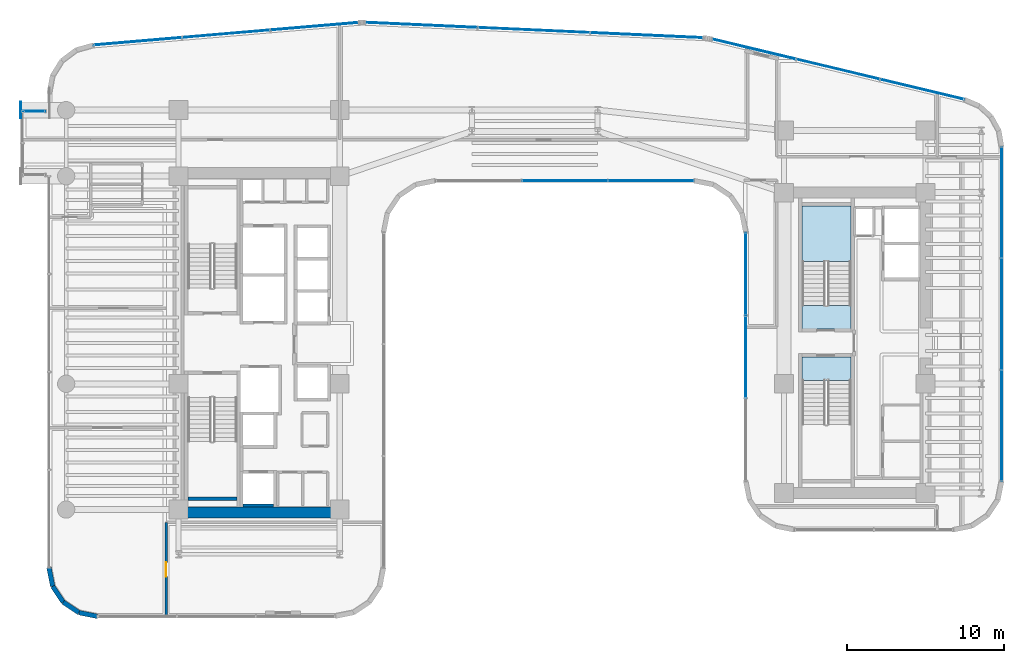
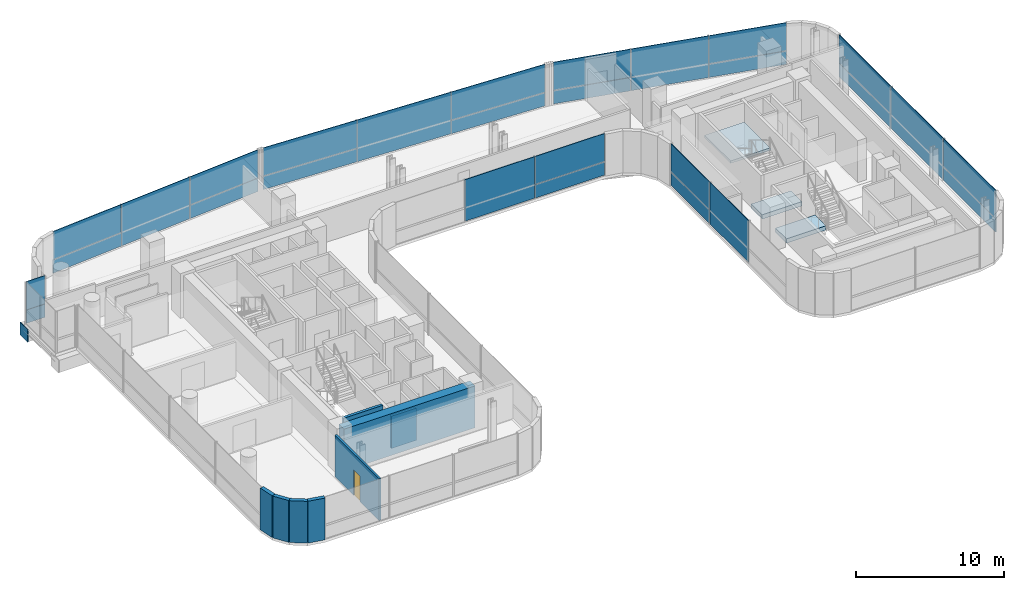
# One storey, part 26 of 35: 29 plates, 8 walls, 3 slabs, 1 door, 1 opening, 8 elements without a shape of their own.
"""IFC4 building model written with IfcOpenShell, lengths in metres."""

from ifc_helpers import new_model, si_unit, direction, frame, frame_2d, origin, origin_2d, place, context, subcontext, project, spatial, polyline, rectangle, outline, extrude, source, transform, mapped, material, layer, layer_set, type_object, element, fill, aggregate, save


model = new_model("IFC4")

# Units and contexts
model_context = context("Model", 3, precision=1e-05, world=origin(), true_north=direction((0.0, 1.0)))
body_context = subcontext(model_context, "Body", "Model", "MODEL_VIEW")
ifc_project = project(units=[si_unit("LENGTHUNIT", "METRE"), si_unit("AREAUNIT", "SQUARE_METRE"), si_unit("VOLUMEUNIT", "CUBIC_METRE"), si_unit("PLANEANGLEUNIT", "RADIAN"), si_unit("MASSUNIT", "GRAM", prefix="KILO")], contexts=[model_context])

# Site, building, storey
site_placement = place(None, origin())
site = spatial("IfcSite", under=ifc_project, at=site_placement, CompositionType="ELEMENT")
building_placement = place(site_placement, origin())
building = spatial("IfcBuilding", under=site, at=building_placement, Name="Valdorenza Pilgrim Sanctuary Tower", CompositionType="ELEMENT")
storey_placement = place(building_placement, frame((0.0, 0.0, 124.199951171875)))
storey = spatial("IfcBuildingStorey", under=building, at=storey_placement, Name="L31", CompositionType="ELEMENT", Elevation=124.199951171875)

# Stair, slab
ifc_material_1 = material(Name="Concrete C40/50", Category="concrete")
stair_type = type_object("IfcStairType", Name="STR-DOG-CORE", PredefinedType="HALF_TURN_STAIR", material=ifc_material_1)
stair_placement = place(storey_placement, origin())
stair = element("IfcStair", 1, at=stair_placement, inside=storey, type_object=stair_type, Name="L31 ST-B1", PredefinedType="HALF_TURN_STAIR")
ifc_layer_1 = layer(ifc_material_1, 0.199951171875, Name="Concrete C40/50")
ifc_layer_set_1 = layer_set([ifc_layer_1], Name="Concrete C40/50")
slab_type_1 = type_object("IfcSlabType", Name="SLAB-STL-200", PredefinedType="LANDING", material=ifc_layer_set_1)
slab_1_placement = place(storey_placement, frame((0.0, 0.0, 1.650146484375)))
slab_1 = element("IfcSlab", 2, at=slab_1_placement, type_object=slab_type_1, Name="ST-B1 landing 1", PredefinedType="LANDING", context=body_context, shape_type="SweptSolid", body=[
    extrude(outline(polyline([(20.110107421875, 5.179931640625), (20.110107421875, 8.699951171875), (17.0, 8.699951171875), (17.0, 5.179931640625), (20.110107421875, 5.179931640625)])), origin(), (0.0, 0.0, 1.0), 0.199951171875),
])
aggregate(stair, [slab_1])

# Slabs
ifc_material_2 = material(Name="Concrete C50/60", Category="concrete")
ifc_layer_2 = layer(ifc_material_2, 0.39990234375, Name="Concrete C50/60")
ifc_layer_set_2 = layer_set([ifc_layer_2], Name="Concrete C50/60")
slab_type_2 = type_object("IfcSlabType", Name="SLAB-TRF-400", PredefinedType="FLOOR", material=ifc_layer_set_2)
slab_2_placement = place(storey_placement, frame((0.0, 0.0, -0.35986328125)))
element("IfcSlab", 3, at=slab_2_placement, inside=storey, type_object=slab_type_2, Name="L31 ST-B1 Structural Stair Landing Bearing Slab", PredefinedType="FLOOR", context=body_context, shape_type="SweptSolid", body=[
    extrude(outline(polyline([(17.0, 0.89990234375), (20.110107421875, 0.89990234375), (20.110107421875, 2.385009765625), (17.0, 2.385009765625), (17.0, 0.89990234375)])), origin(), (0.0, 0.0, 1.0), 0.35986328125),
])
slab_3_placement = place(storey_placement, frame((0.0, 0.0, -0.35986328125)))
element("IfcSlab", 4, at=slab_3_placement, inside=storey, type_object=slab_type_2, Name="L31 ST-B2 Structural Stair Landing Bearing Slab", PredefinedType="FLOOR", context=body_context, shape_type="SweptSolid", body=[
    extrude(outline(polyline([(17.0, -2.385009765625), (20.110107421875, -2.385009765625), (20.110107421875, -0.89990234375), (17.0, -0.89990234375), (17.0, -2.385009765625)])), origin(), (0.0, 0.0, 1.0), 0.35986328125),
])

# Plate
ifc_material_3 = material(Name="Steel ASTM A572 Grade 42", Category="steel")
ifc_layer_3 = layer(ifc_material_3, 0.06005859375, Name="Steel ASTM A572 Grade 42")
ifc_layer_set_3 = layer_set([ifc_layer_3], Name="Steel ASTM A572 Grade 42")
plate_type_1 = type_object("IfcPlateType", Name="PLT-CAP-60", PredefinedType="SHEET", material=ifc_layer_set_3)
shared_shape_1 = source(origin(), body_context, "Body", "SweptSolid", [
    extrude(rectangle(XDim=0.06005859375, YDim=1.0400390625, at=origin_2d()), origin(), (0.0, 0.0, 1.0), 1.0400390625),
])
plate_1_placement = place(storey_placement, frame((-32.679931640625, 14.800048828125, -1.260009765625), z_axis=(0.0, 0.0, 1.0), x_axis=(1.0, 0.0, 0.0)))
element("IfcPlate", 5, at=plate_1_placement, inside=storey, type_object=plate_type_1, Name="L31 BOX-WA-L31 Cantilever Tip End Cap N", PredefinedType="SHEET", context=body_context, shape_type="MappedRepresentation", body=[
    mapped(shared_shape_1, transform((0.0, 0.0, 0.0), x_axis=(1.0, 0.0, 0.0), y_axis=(0.0, 1.0, 0.0), z_axis=(0.0, 0.0, 1.0), scale=1.0)),
])

# Curtain wall, plates
ifc_material_4 = material(Name="Curtain-wall IGU glazing", Category="glass")
curtain_wall_type_1 = type_object("IfcCurtainWallType", Name="CW-SYS-02", PredefinedType="NOTDEFINED", material=ifc_material_4)
curtain_wall_1_placement = place(storey_placement, origin())
curtain_wall_1 = element("IfcCurtainWall", 6, at=curtain_wall_1_placement, inside=storey, type_object=curtain_wall_type_1, Name="L31 Curtain Wall CW-L31-1-36", PredefinedType="NOTDEFINED")
ifc_material_5 = material(Name="Honed travertine limestone", Category="masonry")
ifc_layer_4 = layer(ifc_material_5, 0.050048828125, Name="Honed travertine limestone")
ifc_layer_set_4 = layer_set([ifc_layer_4], Name="Honed travertine limestone")
plate_type_2 = type_object("IfcPlateType", Name="CW-SPN-TRV", PredefinedType="USERDEFINED", material=ifc_layer_set_4)
shared_shape_2 = source(origin(), body_context, "Body", "SweptSolid", [
    extrude(rectangle(XDim=5.453857421875, YDim=0.06005859375, at=origin_2d()), origin(), (0.0, 0.0, 1.0), 1.10009765625),
])
plate_2_placement = place(storey_placement, frame((7.373779296875, 10.31005859375, 0.010009765625), z_axis=(0.0, 0.0, 1.0), x_axis=(-1.0, 0.0, 0.0)))
plate_2 = element("IfcPlate", 7, at=plate_2_placement, type_object=plate_type_2, Name="CW-L31-1-36 Travertine Spandrel 1", ObjectType="SPANDREL", PredefinedType="USERDEFINED", context=body_context, shape_type="MappedRepresentation", body=[
    mapped(shared_shape_2, transform((0.0, 0.0, 0.0), x_axis=(1.0, 0.0, 0.0), y_axis=(0.0, 1.0, 0.0), z_axis=(0.0, 0.0, 1.0), scale=1.0)),
])
ifc_material_6 = material(Name="Ceramic-fritted low-E IGU glazing", Category="glass")
ifc_layer_5 = layer(ifc_material_6, 0.035888671875, Name="Ceramic-fritted low-E IGU glazing")
ifc_layer_set_5 = layer_set([ifc_layer_5], Name="Ceramic-fritted low-E IGU glazing")
plate_type_3 = type_object("IfcPlateType", Name="CW-GLZ-IGU", PredefinedType="USERDEFINED", material=ifc_layer_set_5)
shared_shape_3 = source(origin(), body_context, "Body", "SweptSolid", [
    extrude(rectangle(XDim=5.453857421875, YDim=0.050048828125, at=origin_2d()), origin(), (0.0, 0.0, 1.0), 2.320068359375),
])
plate_3_placement = place(storey_placement, frame((7.373779296875, 10.31005859375, 1.1298828125), z_axis=(0.0, 0.0, 1.0), x_axis=(-1.0, 0.0, 0.0)))
plate_3 = element("IfcPlate", 8, at=plate_3_placement, type_object=plate_type_3, Name="CW-L31-1-36 Facade Panel 1", ObjectType="GLAZING", PredefinedType="USERDEFINED", context=body_context, shape_type="MappedRepresentation", body=[
    mapped(shared_shape_3, transform((0.0, 0.0, 0.0), x_axis=(1.0, 0.0, 0.0), y_axis=(0.0, 1.0, 0.0), z_axis=(0.0, 0.0, 1.0), scale=1.0)),
])
shared_shape_4 = source(origin(), body_context, "Body", "SweptSolid", [
    extrude(rectangle(XDim=5.453857421875, YDim=0.050048828125, at=origin_2d()), origin(), (0.0, 0.0, 1.0), 3.43994140625),
])
plate_4_placement = place(storey_placement, frame((1.89990234375, 10.31005859375, 0.010009765625), z_axis=(0.0, 0.0, 1.0), x_axis=(-1.0, 0.0, 0.0)))
plate_4 = element("IfcPlate", 9, at=plate_4_placement, type_object=plate_type_3, Name="CW-L31-1-36 Full-Height Facade Panel 2", ObjectType="GLAZING", PredefinedType="USERDEFINED", context=body_context, shape_type="MappedRepresentation", body=[
    mapped(shared_shape_4, transform((0.0, 0.0, 0.0), x_axis=(1.0, 0.0, 0.0), y_axis=(0.0, 1.0, 0.0), z_axis=(0.0, 0.0, 1.0), scale=1.0)),
])
aggregate(curtain_wall_1, [plate_2, plate_3, plate_4])

curtain_wall_2_placement = place(storey_placement, origin())
curtain_wall_2 = element("IfcCurtainWall", 10, at=curtain_wall_2_placement, inside=storey, type_object=curtain_wall_type_1, Name="L31 Curtain Wall CW-L31-BOX-WA-L31-N", PredefinedType="NOTDEFINED")
shared_shape_5 = source(origin(), body_context, "Body", "SweptSolid", [
    extrude(rectangle(XDim=1.43994140625, YDim=0.06005859375, at=origin_2d()), origin(), (0.0, 0.0, 1.0), 1.10009765625),
])
plate_5_placement = place(storey_placement, frame((-31.840087890625, 14.719970703125, 0.010009765625), z_axis=(0.0, 0.0, 1.0), x_axis=(1.0, 0.0, 0.0)))
plate_5 = element("IfcPlate", 11, at=plate_5_placement, type_object=plate_type_2, Name="CW-L31-BOX-WA-L31-N Travertine Spandrel 1", ObjectType="SPANDREL", PredefinedType="USERDEFINED", context=body_context, shape_type="MappedRepresentation", body=[
    mapped(shared_shape_5, transform((0.0, 0.0, 0.0), x_axis=(1.0, 0.0, 0.0), y_axis=(0.0, 1.0, 0.0), z_axis=(0.0, 0.0, 1.0), scale=1.0)),
])
shared_shape_6 = source(origin(), body_context, "Body", "SweptSolid", [
    extrude(rectangle(XDim=1.43994140625, YDim=0.050048828125, at=origin_2d()), origin(), (0.0, 0.0, 1.0), 2.320068359375),
])
plate_6_placement = place(storey_placement, frame((-31.840087890625, 14.719970703125, 1.1298828125), z_axis=(0.0, 0.0, 1.0), x_axis=(1.0, 0.0, 0.0)))
plate_6 = element("IfcPlate", 12, at=plate_6_placement, type_object=plate_type_3, Name="CW-L31-BOX-WA-L31-N Facade Panel 1", ObjectType="GLAZING", PredefinedType="USERDEFINED", context=body_context, shape_type="MappedRepresentation", body=[
    mapped(shared_shape_6, transform((0.0, 0.0, 0.0), x_axis=(1.0, 0.0, 0.0), y_axis=(0.0, 1.0, 0.0), z_axis=(0.0, 0.0, 1.0), scale=1.0)),
])
aggregate(curtain_wall_2, [plate_5, plate_6])

curtain_wall_3_placement = place(storey_placement, origin())
curtain_wall_3 = element("IfcCurtainWall", 13, at=curtain_wall_3_placement, inside=storey, type_object=curtain_wall_type_1, Name="L31 Curtain Wall CW-L31-1-6", PredefinedType="NOTDEFINED")
shared_shape_7 = source(origin(), body_context, "Body", "SweptSolid", [
    extrude(rectangle(XDim=5.61767578125, YDim=0.06005859375, at=origin_2d()), origin(), (0.0, 0.0, 1.0), 1.10009765625),
])
plate_7_placement = place(storey_placement, frame((-25.242919921875, 19.178955078125, 0.010009765625), z_axis=(0.0, 0.0, 1.0), x_axis=(0.99640764237, 0.084686541006, 0.0)))
plate_7 = element("IfcPlate", 14, at=plate_7_placement, type_object=plate_type_2, Name="CW-L31-1-6 Travertine Spandrel 1", ObjectType="SPANDREL", PredefinedType="USERDEFINED", context=body_context, shape_type="MappedRepresentation", body=[
    mapped(shared_shape_7, transform((0.0, 0.0, 0.0), x_axis=(1.0, 0.0, 0.0), y_axis=(0.0, 1.0, 0.0), z_axis=(0.0, 0.0, 1.0), scale=1.0)),
])
plate_8_placement = place(storey_placement, frame((-14.008056640625, 20.1337890625, 0.010009765625), z_axis=(0.0, 0.0, 1.0), x_axis=(0.99640764237, 0.084686541006, 0.0)))
plate_8 = element("IfcPlate", 15, at=plate_8_placement, type_object=plate_type_2, Name="CW-L31-1-6 Travertine Spandrel 3", ObjectType="SPANDREL", PredefinedType="USERDEFINED", context=body_context, shape_type="MappedRepresentation", body=[
    mapped(shared_shape_7, transform((0.0, 0.0, 0.0), x_axis=(1.0, 0.0, 0.0), y_axis=(0.0, 1.0, 0.0), z_axis=(0.0, 0.0, 1.0), scale=1.0)),
])

curtain_wall_4_placement = place(storey_placement, origin())
curtain_wall_4 = element("IfcCurtainWall", 16, at=curtain_wall_4_placement, inside=storey, type_object=curtain_wall_type_1, Name="L31 Curtain Wall CW-L31-1-11", PredefinedType="NOTDEFINED")
shared_shape_8 = source(origin(), body_context, "Body", "SweptSolid", [
    extrude(rectangle(XDim=7.1494140625, YDim=0.06005859375, at=origin_2d()), origin(), (0.0, 0.0, 1.0), 1.10009765625),
])
plate_9_placement = place(storey_placement, frame((-7.21484375, 20.2177734375, 0.010009765625), z_axis=(0.0, 0.0, 1.0), x_axis=(0.998968193221, -0.045415294044, 0.0)))
plate_9 = element("IfcPlate", 17, at=plate_9_placement, type_object=plate_type_2, Name="CW-L31-1-11 Travertine Spandrel 1", ObjectType="SPANDREL", PredefinedType="USERDEFINED", context=body_context, shape_type="MappedRepresentation", body=[
    mapped(shared_shape_8, transform((0.0, 0.0, 0.0), x_axis=(1.0, 0.0, 0.0), y_axis=(0.0, 1.0, 0.0), z_axis=(0.0, 0.0, 1.0), scale=1.0)),
])
plate_10_placement = place(storey_placement, frame((7.10888671875, 19.56689453125, 0.010009765625), z_axis=(0.0, 0.0, 1.0), x_axis=(0.998968193221, -0.045415294044, 0.0)))
plate_10 = element("IfcPlate", 18, at=plate_10_placement, type_object=plate_type_2, Name="CW-L31-1-11 Travertine Spandrel 3", ObjectType="SPANDREL", PredefinedType="USERDEFINED", context=body_context, shape_type="MappedRepresentation", body=[
    mapped(shared_shape_8, transform((0.0, 0.0, 0.0), x_axis=(1.0, 0.0, 0.0), y_axis=(0.0, 1.0, 0.0), z_axis=(0.0, 0.0, 1.0), scale=1.0)),
])

curtain_wall_type_2 = type_object("IfcCurtainWallType", Name="CW-SYS-03", PredefinedType="NOTDEFINED", material=ifc_material_4)
curtain_wall_5_placement = place(storey_placement, origin())
curtain_wall_5 = element("IfcCurtainWall", 19, at=curtain_wall_5_placement, inside=storey, type_object=curtain_wall_type_2, Name="L31 Curtain Wall CW-L31-1-16", PredefinedType="NOTDEFINED")
shared_shape_9 = source(origin(), body_context, "Body", "SweptSolid", [
    extrude(rectangle(XDim=5.477294921875, YDim=0.06005859375, at=origin_2d()), origin(), (0.0, 0.0, 1.0), 1.10009765625),
])
plate_11_placement = place(storey_placement, frame((13.944580078125, 18.68212890625, 0.010009765625), z_axis=(0.0, 0.0, 1.0), x_axis=(0.972528596343, -0.232783438617, 0.0)))
plate_11 = element("IfcPlate", 20, at=plate_11_placement, type_object=plate_type_2, Name="CW-L31-1-16 Travertine Spandrel 1", ObjectType="SPANDREL", PredefinedType="USERDEFINED", context=body_context, shape_type="MappedRepresentation", body=[
    mapped(shared_shape_9, transform((0.0, 0.0, 0.0), x_axis=(1.0, 0.0, 0.0), y_axis=(0.0, 1.0, 0.0), z_axis=(0.0, 0.0, 1.0), scale=1.0)),
])
plate_12_placement = place(storey_placement, frame((24.63720703125, 16.122802734375, 0.010009765625), z_axis=(0.0, 0.0, 1.0), x_axis=(0.972528596343, -0.232783438617, 0.0)))
plate_12 = element("IfcPlate", 21, at=plate_12_placement, type_object=plate_type_2, Name="CW-L31-1-16 Travertine Spandrel 3", ObjectType="SPANDREL", PredefinedType="USERDEFINED", context=body_context, shape_type="MappedRepresentation", body=[
    mapped(shared_shape_9, transform((0.0, 0.0, 0.0), x_axis=(1.0, 0.0, 0.0), y_axis=(0.0, 1.0, 0.0), z_axis=(0.0, 0.0, 1.0), scale=1.0)),
])

curtain_wall_6_placement = place(storey_placement, origin())
curtain_wall_6 = element("IfcCurtainWall", 22, at=curtain_wall_6_placement, inside=storey, type_object=curtain_wall_type_2, Name="L31 Curtain Wall CW-L31-1-21", PredefinedType="NOTDEFINED")
shared_shape_10 = source(origin(), body_context, "Body", "SweptSolid", [
    extrude(rectangle(XDim=7.065185546875, YDim=0.06005859375, at=origin_2d()), origin(), (0.0, 0.0, 1.0), 1.10009765625),
])
plate_13_placement = place(storey_placement, frame((29.68994140625, 8.923828125, 0.010009765625), z_axis=(0.0, 0.0, 1.0), x_axis=(0.0, -1.0, 0.0)))
plate_13 = element("IfcPlate", 23, at=plate_13_placement, type_object=plate_type_2, Name="CW-L31-1-21 Travertine Spandrel 1", ObjectType="SPANDREL", PredefinedType="USERDEFINED", context=body_context, shape_type="MappedRepresentation", body=[
    mapped(shared_shape_10, transform((0.0, 0.0, 0.0), x_axis=(1.0, 0.0, 0.0), y_axis=(0.0, 1.0, 0.0), z_axis=(0.0, 0.0, 1.0), scale=1.0)),
])
plate_14_placement = place(storey_placement, frame((29.68994140625, -5.24658203125, 0.010009765625), z_axis=(0.0, 0.0, 1.0), x_axis=(0.0, -1.0, 0.0)))
plate_14 = element("IfcPlate", 24, at=plate_14_placement, type_object=plate_type_2, Name="CW-L31-1-21 Travertine Spandrel 3", ObjectType="SPANDREL", PredefinedType="USERDEFINED", context=body_context, shape_type="MappedRepresentation", body=[
    mapped(shared_shape_10, transform((0.0, 0.0, 0.0), x_axis=(1.0, 0.0, 0.0), y_axis=(0.0, 1.0, 0.0), z_axis=(0.0, 0.0, 1.0), scale=1.0)),
])

# Curtain wall, plate
curtain_wall_7_placement = place(storey_placement, origin())
curtain_wall_7 = element("IfcCurtainWall", 25, at=curtain_wall_7_placement, inside=storey, type_object=curtain_wall_type_2, Name="L31 Curtain Wall CW-L31-1-31", PredefinedType="NOTDEFINED")
shared_shape_11 = source(origin(), body_context, "Body", "SweptSolid", [
    extrude(rectangle(XDim=5.24658203125, YDim=0.06005859375, at=origin_2d()), origin(), (0.0, 0.0, 1.0), 1.10009765625),
])
plate_15_placement = place(storey_placement, frame((13.409912109375, 4.37744140625, 0.010009765625), z_axis=(0.0, 0.0, 1.0), x_axis=(0.0, 1.0, 0.0)))
plate_15 = element("IfcPlate", 26, at=plate_15_placement, type_object=plate_type_2, Name="CW-L31-1-31 Travertine Spandrel 3", ObjectType="SPANDREL", PredefinedType="USERDEFINED", context=body_context, shape_type="MappedRepresentation", body=[
    mapped(shared_shape_11, transform((0.0, 0.0, 0.0), x_axis=(1.0, 0.0, 0.0), y_axis=(0.0, 1.0, 0.0), z_axis=(0.0, 0.0, 1.0), scale=1.0)),
])

# Plate
shared_shape_12 = source(origin(), body_context, "Body", "SweptSolid", [
    extrude(rectangle(XDim=5.61767578125, YDim=0.050048828125, at=origin_2d()), origin(), (0.0, 0.0, 1.0), 3.43994140625),
])
plate_16_placement = place(storey_placement, frame((-19.62548828125, 19.656494140625, 0.010009765625), z_axis=(0.0, 0.0, 1.0), x_axis=(0.99640764237, 0.084686541006, 0.0)))
plate_16 = element("IfcPlate", 27, at=plate_16_placement, type_object=plate_type_3, Name="CW-L31-1-6 Full-Height Facade Panel 2", ObjectType="GLAZING", PredefinedType="USERDEFINED", context=body_context, shape_type="MappedRepresentation", body=[
    mapped(shared_shape_12, transform((0.0, 0.0, 0.0), x_axis=(1.0, 0.0, 0.0), y_axis=(0.0, 1.0, 0.0), z_axis=(0.0, 0.0, 1.0), scale=1.0)),
])

shared_shape_13 = source(origin(), body_context, "Body", "SweptSolid", [
    extrude(rectangle(XDim=5.61767578125, YDim=0.050048828125, at=origin_2d()), origin(), (0.0, 0.0, 1.0), 2.320068359375),
])
plate_17_placement = place(storey_placement, frame((-25.242919921875, 19.178955078125, 1.1298828125), z_axis=(0.0, 0.0, 1.0), x_axis=(0.99640764237, 0.084686541006, 0.0)))
plate_17 = element("IfcPlate", 28, at=plate_17_placement, type_object=plate_type_3, Name="CW-L31-1-6 Facade Panel 1", ObjectType="GLAZING", PredefinedType="USERDEFINED", context=body_context, shape_type="MappedRepresentation", body=[
    mapped(shared_shape_13, transform((0.0, 0.0, 0.0), x_axis=(1.0, 0.0, 0.0), y_axis=(0.0, 1.0, 0.0), z_axis=(0.0, 0.0, 1.0), scale=1.0)),
])

plate_18_placement = place(storey_placement, frame((-14.008056640625, 20.1337890625, 1.1298828125), z_axis=(0.0, 0.0, 1.0), x_axis=(0.99640764237, 0.084686541006, 0.0)))
plate_18 = element("IfcPlate", 29, at=plate_18_placement, type_object=plate_type_3, Name="CW-L31-1-6 Facade Panel 3", ObjectType="GLAZING", PredefinedType="USERDEFINED", context=body_context, shape_type="MappedRepresentation", body=[
    mapped(shared_shape_13, transform((0.0, 0.0, 0.0), x_axis=(1.0, 0.0, 0.0), y_axis=(0.0, 1.0, 0.0), z_axis=(0.0, 0.0, 1.0), scale=1.0)),
])

aggregate(curtain_wall_3, [plate_7, plate_17, plate_16, plate_8, plate_18])

shared_shape_14 = source(origin(), body_context, "Body", "SweptSolid", [
    extrude(rectangle(XDim=7.1494140625, YDim=0.050048828125, at=origin_2d()), origin(), (0.0, 0.0, 1.0), 3.43994140625),
])
plate_19_placement = place(storey_placement, frame((-0.052978515625, 19.892333984375, 0.010009765625), z_axis=(0.0, 0.0, 1.0), x_axis=(0.998968193221, -0.045415294044, 0.0)))
plate_19 = element("IfcPlate", 30, at=plate_19_placement, type_object=plate_type_3, Name="CW-L31-1-11 Full-Height Facade Panel 2", ObjectType="GLAZING", PredefinedType="USERDEFINED", context=body_context, shape_type="MappedRepresentation", body=[
    mapped(shared_shape_14, transform((0.0, 0.0, 0.0), x_axis=(1.0, 0.0, 0.0), y_axis=(0.0, 1.0, 0.0), z_axis=(0.0, 0.0, 1.0), scale=1.0)),
])

shared_shape_15 = source(origin(), body_context, "Body", "SweptSolid", [
    extrude(rectangle(XDim=7.1494140625, YDim=0.050048828125, at=origin_2d()), origin(), (0.0, 0.0, 1.0), 2.320068359375),
])
plate_20_placement = place(storey_placement, frame((-7.21484375, 20.2177734375, 1.1298828125), z_axis=(0.0, 0.0, 1.0), x_axis=(0.998968193221, -0.045415294044, 0.0)))
plate_20 = element("IfcPlate", 31, at=plate_20_placement, type_object=plate_type_3, Name="CW-L31-1-11 Facade Panel 1", ObjectType="GLAZING", PredefinedType="USERDEFINED", context=body_context, shape_type="MappedRepresentation", body=[
    mapped(shared_shape_15, transform((0.0, 0.0, 0.0), x_axis=(1.0, 0.0, 0.0), y_axis=(0.0, 1.0, 0.0), z_axis=(0.0, 0.0, 1.0), scale=1.0)),
])

plate_21_placement = place(storey_placement, frame((7.10888671875, 19.56689453125, 1.1298828125), z_axis=(0.0, 0.0, 1.0), x_axis=(0.998968193221, -0.045415294044, 0.0)))
plate_21 = element("IfcPlate", 32, at=plate_21_placement, type_object=plate_type_3, Name="CW-L31-1-11 Facade Panel 3", ObjectType="GLAZING", PredefinedType="USERDEFINED", context=body_context, shape_type="MappedRepresentation", body=[
    mapped(shared_shape_15, transform((0.0, 0.0, 0.0), x_axis=(1.0, 0.0, 0.0), y_axis=(0.0, 1.0, 0.0), z_axis=(0.0, 0.0, 1.0), scale=1.0)),
])

aggregate(curtain_wall_4, [plate_9, plate_20, plate_19, plate_10, plate_21])

shared_shape_16 = source(origin(), body_context, "Body", "SweptSolid", [
    extrude(rectangle(XDim=5.477294921875, YDim=0.050048828125, at=origin_2d()), origin(), (0.0, 0.0, 1.0), 3.43994140625),
])
plate_22_placement = place(storey_placement, frame((19.291015625, 17.40234375, 0.010009765625), z_axis=(0.0, 0.0, 1.0), x_axis=(0.972528596343, -0.232783438617, 0.0)))
plate_22 = element("IfcPlate", 33, at=plate_22_placement, type_object=plate_type_3, Name="CW-L31-1-16 Full-Height Facade Panel 2", ObjectType="GLAZING", PredefinedType="USERDEFINED", context=body_context, shape_type="MappedRepresentation", body=[
    mapped(shared_shape_16, transform((0.0, 0.0, 0.0), x_axis=(1.0, 0.0, 0.0), y_axis=(0.0, 1.0, 0.0), z_axis=(0.0, 0.0, 1.0), scale=1.0)),
])

shared_shape_17 = source(origin(), body_context, "Body", "SweptSolid", [
    extrude(rectangle(XDim=5.477294921875, YDim=0.050048828125, at=origin_2d()), origin(), (0.0, 0.0, 1.0), 2.320068359375),
])
plate_23_placement = place(storey_placement, frame((13.944580078125, 18.68212890625, 1.1298828125), z_axis=(0.0, 0.0, 1.0), x_axis=(0.972528596343, -0.232783438617, 0.0)))
plate_23 = element("IfcPlate", 34, at=plate_23_placement, type_object=plate_type_3, Name="CW-L31-1-16 Facade Panel 1", ObjectType="GLAZING", PredefinedType="USERDEFINED", context=body_context, shape_type="MappedRepresentation", body=[
    mapped(shared_shape_17, transform((0.0, 0.0, 0.0), x_axis=(1.0, 0.0, 0.0), y_axis=(0.0, 1.0, 0.0), z_axis=(0.0, 0.0, 1.0), scale=1.0)),
])

plate_24_placement = place(storey_placement, frame((24.63720703125, 16.122802734375, 1.1298828125), z_axis=(0.0, 0.0, 1.0), x_axis=(0.972528596343, -0.232783438617, 0.0)))
plate_24 = element("IfcPlate", 35, at=plate_24_placement, type_object=plate_type_3, Name="CW-L31-1-16 Facade Panel 3", ObjectType="GLAZING", PredefinedType="USERDEFINED", context=body_context, shape_type="MappedRepresentation", body=[
    mapped(shared_shape_17, transform((0.0, 0.0, 0.0), x_axis=(1.0, 0.0, 0.0), y_axis=(0.0, 1.0, 0.0), z_axis=(0.0, 0.0, 1.0), scale=1.0)),
])

aggregate(curtain_wall_5, [plate_11, plate_23, plate_22, plate_12, plate_24])

shared_shape_18 = source(origin(), body_context, "Body", "SweptSolid", [
    extrude(rectangle(XDim=7.065185546875, YDim=0.050048828125, at=origin_2d()), origin(), (0.0, 0.0, 1.0), 2.320068359375),
])
plate_25_placement = place(storey_placement, frame((29.68994140625, 8.923828125, 1.1298828125), z_axis=(0.0, 0.0, 1.0), x_axis=(0.0, -1.0, 0.0)))
plate_25 = element("IfcPlate", 36, at=plate_25_placement, type_object=plate_type_3, Name="CW-L31-1-21 Facade Panel 1", ObjectType="GLAZING", PredefinedType="USERDEFINED", context=body_context, shape_type="MappedRepresentation", body=[
    mapped(shared_shape_18, transform((0.0, 0.0, 0.0), x_axis=(1.0, 0.0, 0.0), y_axis=(0.0, 1.0, 0.0), z_axis=(0.0, 0.0, 1.0), scale=1.0)),
])

plate_26_placement = place(storey_placement, frame((29.68994140625, -5.24658203125, 1.1298828125), z_axis=(0.0, 0.0, 1.0), x_axis=(0.0, -1.0, 0.0)))
plate_26 = element("IfcPlate", 37, at=plate_26_placement, type_object=plate_type_3, Name="CW-L31-1-21 Facade Panel 3", ObjectType="GLAZING", PredefinedType="USERDEFINED", context=body_context, shape_type="MappedRepresentation", body=[
    mapped(shared_shape_18, transform((0.0, 0.0, 0.0), x_axis=(1.0, 0.0, 0.0), y_axis=(0.0, 1.0, 0.0), z_axis=(0.0, 0.0, 1.0), scale=1.0)),
])

shared_shape_19 = source(origin(), body_context, "Body", "SweptSolid", [
    extrude(rectangle(XDim=7.065185546875, YDim=0.050048828125, at=origin_2d()), origin(), (0.0, 0.0, 1.0), 3.43994140625),
])
plate_27_placement = place(storey_placement, frame((29.68994140625, 1.838623046875, 0.010009765625), z_axis=(0.0, 0.0, 1.0), x_axis=(0.0, -1.0, 0.0)))
plate_27 = element("IfcPlate", 38, at=plate_27_placement, type_object=plate_type_3, Name="CW-L31-1-21 Full-Height Facade Panel 2", ObjectType="GLAZING", PredefinedType="USERDEFINED", context=body_context, shape_type="MappedRepresentation", body=[
    mapped(shared_shape_19, transform((0.0, 0.0, 0.0), x_axis=(1.0, 0.0, 0.0), y_axis=(0.0, 1.0, 0.0), z_axis=(0.0, 0.0, 1.0), scale=1.0)),
])

aggregate(curtain_wall_6, [plate_13, plate_25, plate_27, plate_14, plate_26])

shared_shape_20 = source(origin(), body_context, "Body", "SweptSolid", [
    extrude(rectangle(XDim=5.24658203125, YDim=0.050048828125, at=origin_2d()), origin(), (0.0, 0.0, 1.0), 2.320068359375),
])
plate_28_placement = place(storey_placement, frame((13.409912109375, 4.37744140625, 1.1298828125), z_axis=(0.0, 0.0, 1.0), x_axis=(0.0, 1.0, 0.0)))
plate_28 = element("IfcPlate", 39, at=plate_28_placement, type_object=plate_type_3, Name="CW-L31-1-31 Facade Panel 3", ObjectType="GLAZING", PredefinedType="USERDEFINED", context=body_context, shape_type="MappedRepresentation", body=[
    mapped(shared_shape_20, transform((0.0, 0.0, 0.0), x_axis=(1.0, 0.0, 0.0), y_axis=(0.0, 1.0, 0.0), z_axis=(0.0, 0.0, 1.0), scale=1.0)),
])

shared_shape_21 = source(origin(), body_context, "Body", "SweptSolid", [
    extrude(rectangle(XDim=5.24658203125, YDim=0.050048828125, at=origin_2d()), origin(), (0.0, 0.0, 1.0), 3.43994140625),
])
plate_29_placement = place(storey_placement, frame((13.409912109375, -0.88916015625, 0.010009765625), z_axis=(0.0, 0.0, 1.0), x_axis=(0.0, 1.0, 0.0)))
plate_29 = element("IfcPlate", 40, at=plate_29_placement, type_object=plate_type_3, Name="CW-L31-1-31 Full-Height Facade Panel 2", ObjectType="GLAZING", PredefinedType="USERDEFINED", context=body_context, shape_type="MappedRepresentation", body=[
    mapped(shared_shape_21, transform((0.0, 0.0, 0.0), x_axis=(1.0, 0.0, 0.0), y_axis=(0.0, 1.0, 0.0), z_axis=(0.0, 0.0, 1.0), scale=1.0)),
])

aggregate(curtain_wall_7, [plate_29, plate_15, plate_28])

# Wall, opening, door
ifc_material_7 = material(Name="Acoustic twin-stud gypsum partition", Category="gypsum")
ifc_layer_6 = layer(ifc_material_7, 0.159912109375, Name="Acoustic twin-stud gypsum partition")
ifc_layer_set_6 = layer_set([ifc_layer_6], Name="Acoustic twin-stud gypsum partition")
wall_type_1 = type_object("IfcWallType", Name="WAL-COR-160", PredefinedType="PARTITIONING", material=ifc_layer_set_6)
wall_1_placement = place(storey_placement, frame((-23.449951171875, -17.389892578125, 0.0), z_axis=(0.0, 0.0, 1.0), x_axis=(0.0, 1.0, 0.0)))
wall_1 = element("IfcWall", 41, at=wall_1_placement, inside=storey, type_object=wall_type_1, Name="L31 South-East Pocket West Wall", PredefinedType="PARTITIONING", context=body_context, shape_type="SweptSolid", body=[
    extrude(rectangle(XDim=5.969970703125, YDim=0.159912109375, at=frame_2d((2.98486328125, 0.0))), origin(), (0.0, 0.0, 1.0), 3.4599609375),
])
opening_placement = place(wall_1_placement, frame((2.534912109375, 0.0, 0.0)))
opening = element("IfcOpeningElement", 42, at=opening_placement, cuts=wall_1, Name="Opening DR-RM1", PredefinedType="OPENING", context=body_context, shape_type="SweptSolid", body=[
    extrude(rectangle(XDim=0.89990234375, YDim=2.10009765625, at=frame_2d((0.449951171875, 1.050048828125))), frame((0.0, 0.0947265625, 0.0), z_axis=(0.0, -1.0, 0.0), x_axis=(1.0, 0.0, 0.0)), (0.0, 0.0, 1.0), 0.189697265625),
])
ifc_material_8 = material(Name="Solid-core European oak timber", Category="wood")
door_type = type_object("IfcDoorType", Name="DR-ROOM-900", OperationType="NOTDEFINED", PredefinedType="DOOR", material=ifc_material_8)
door_placement = place(opening_placement, frame((0.89990234375, 0.0, 0.0), z_axis=(0.0, 0.0, 1.0), x_axis=(-1.0, 0.0, 0.0)))
door = element("IfcDoor", 43, at=door_placement, inside=storey, type_object=door_type, Name="L31 Sacred Archive Reading Library L31-S Door", OperationType="SINGLE_SWING_LEFT", OverallHeight=2.10009765625, OverallWidth=0.89990234375, PredefinedType="DOOR", context=body_context, shape_type="SweptSolid", body=[
    extrude(rectangle(XDim=0.89990234375, YDim=2.10009765625, at=frame_2d((0.449951171875, 1.050048828125))), frame((0.0, 0.02490234375, 0.0), z_axis=(0.0, -1.0, 0.0), x_axis=(1.0, 0.0, 0.0)), (0.0, 0.0, 1.0), 0.050048828125),
])
fill(opening, door)

# Walls
ifc_material_9 = material(Name="Concrete C60/75", Category="concrete")
ifc_layer_7 = layer(ifc_material_9, 0.699951171875, Name="Concrete C60/75")
ifc_layer_set_7 = layer_set([ifc_layer_7], Name="Concrete C60/75")
wall_type_2 = type_object("IfcWallType", Name="WAL-COR-700", PredefinedType="SHEAR", material=ifc_layer_set_7)
wall_2_placement = place(storey_placement, frame((-22.64990234375, -10.800048828125, 0.0), z_axis=(0.0, 0.0, 1.0), x_axis=(1.0, 0.0, 0.0)))
element("IfcWall", 44, at=wall_2_placement, inside=storey, type_object=wall_type_2, Name="L31 Split Core A Shear Wall S", PredefinedType="SHEAR", context=body_context, shape_type="SweptSolid", body=[
    extrude(rectangle(XDim=10.25, YDim=0.699951171875, at=frame_2d((5.125, 0.0))), origin(), (0.0, 0.0, 1.0), 3.4599609375),
])
ifc_layer_8 = layer(ifc_material_5, 0.300048828125, Name="Honed travertine limestone")
ifc_layer_set_8 = layer_set([ifc_layer_8], Name="Honed travertine limestone")
wall_type_3 = type_object("IfcWallType", Name="WAL-EXT-300", PredefinedType="SOLIDWALL", material=ifc_layer_set_8)
wall_3_placement = place(storey_placement, frame((-27.789306640625, -17.389892578125, 0.0), z_axis=(0.0, 0.0, 1.0), x_axis=(-0.980804027463, 0.194996050505, 0.0)))
element("IfcWall", 45, at=wall_3_placement, inside=storey, type_object=wall_type_3, Name="L31 Rounded Wind-Corner Stone Pier 47", PredefinedType="SOLIDWALL", context=body_context, shape_type="SweptSolid", body=[
    extrude(rectangle(XDim=1.2158203125, YDim=0.300048828125, at=frame_2d((0.60791015625, 0.0))), origin(), (0.0, 0.0, 1.0), 3.4599609375),
])
for number, where, z_axis, x_axis, name in (
    (46, (-28.981689453125, -17.15283203125, 0.0), (0.0, 0.0, 1.0), (-0.831426265255, 0.555635100982, 0.0), "L31 Rounded Wind-Corner Stone Pier 48"),
    (47, (-29.9833984375, -16.4833984375, 0.0), (0.0, 0.0, 1.0), (-0.555635100982, 0.831426265255, 0.0), "L31 Rounded Wind-Corner Stone Pier 49"),
):
    element("IfcWall", number, at=place(storey_placement, frame(where, z_axis=z_axis, x_axis=x_axis)), inside=storey, type_object=wall_type_3, Name=name, PredefinedType="SOLIDWALL", context=body_context, shape_type="SweptSolid", body=[
        extrude(rectangle(XDim=1.204833984375, YDim=0.300048828125, at=frame_2d((0.6025390625, 0.0))), origin(), (0.0, 0.0, 1.0), 3.4599609375),
    ])
wall_4_placement = place(storey_placement, frame((-30.65283203125, -15.481689453125, 0.0), z_axis=(0.0, 0.0, 1.0), x_axis=(-0.194996050505, 0.980804027463, 0.0)))
element("IfcWall", 48, at=wall_4_placement, inside=storey, type_object=wall_type_3, Name="L31 Rounded Wind-Corner Stone Pier 50", PredefinedType="SOLIDWALL", context=body_context, shape_type="SweptSolid", body=[
    extrude(rectangle(XDim=1.2158203125, YDim=0.300048828125, at=frame_2d((0.60791015625, 0.0))), origin(), (0.0, 0.0, 1.0), 3.4599609375),
])
ifc_material_10 = material(Name="Autoclaved aerated concrete blockwork", Category="masonry")
ifc_layer_9 = layer(ifc_material_10, 0.199951171875, Name="Autoclaved aerated concrete blockwork")
ifc_layer_set_9 = layer_set([ifc_layer_9], Name="Autoclaved aerated concrete blockwork")
wall_type_4 = type_object("IfcWallType", Name="WAL-SHF-200", PredefinedType="MOVABLE", material=ifc_layer_set_9)
wall_5_placement = place(storey_placement, frame((-18.550048828125, -10.35009765625, 0.0), z_axis=(0.0, 0.0, 1.0), x_axis=(1.0, 0.0, 0.0)))
element("IfcWall", 49, at=wall_5_placement, inside=storey, type_object=wall_type_4, Name="L31 Lift PL-05 Hoistway Wall South", PredefinedType="MOVABLE", context=body_context, shape_type="SweptSolid", body=[
    extrude(rectangle(XDim=1.949951171875, YDim=0.199951171875, at=frame_2d((0.97509765625, 0.0))), origin(), (0.0, 0.0, 1.0), 2.666015625),
])
ifc_layer_10 = layer(ifc_material_1, 0.219970703125, Name="Concrete C40/50")
ifc_layer_set_10 = layer_set([ifc_layer_10], Name="Concrete C40/50")
wall_type_5 = type_object("IfcWallType", Name="WAL-STR-SHF-220", PredefinedType="SHEAR", material=ifc_layer_set_10)
wall_6_placement = place(storey_placement, frame((-22.050048828125, -9.909912109375, 0.0), z_axis=(0.0, 0.0, 1.0), x_axis=(1.0, 0.0, 0.0)))
element("IfcWall", 50, at=wall_6_placement, inside=storey, type_object=wall_type_5, Name="L31 ST-A2 Structural Stairwell Wall S", PredefinedType="SHEAR", context=body_context, shape_type="SweptSolid", body=[
    extrude(rectangle(XDim=3.110107421875, YDim=0.219970703125, at=frame_2d((1.55517578125, 0.0))), origin(), (0.0, 0.0, 1.0), 3.4599609375),
])

save(model, "model.ifc")
